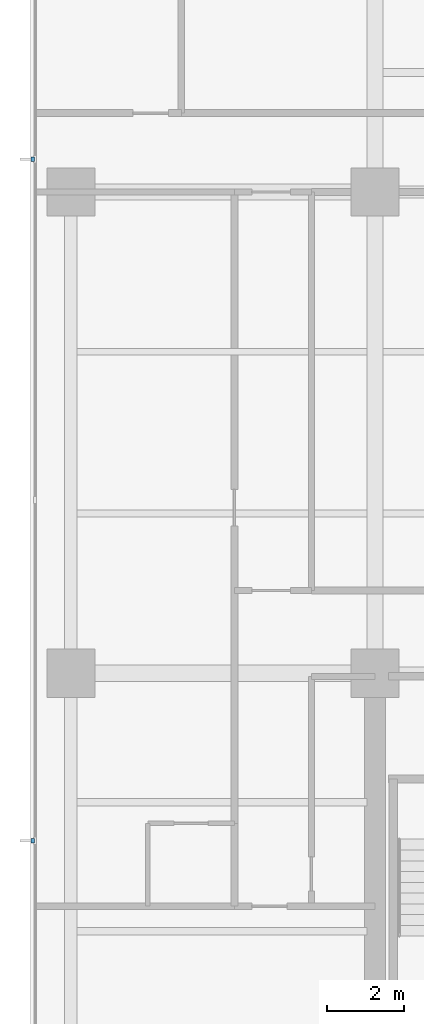
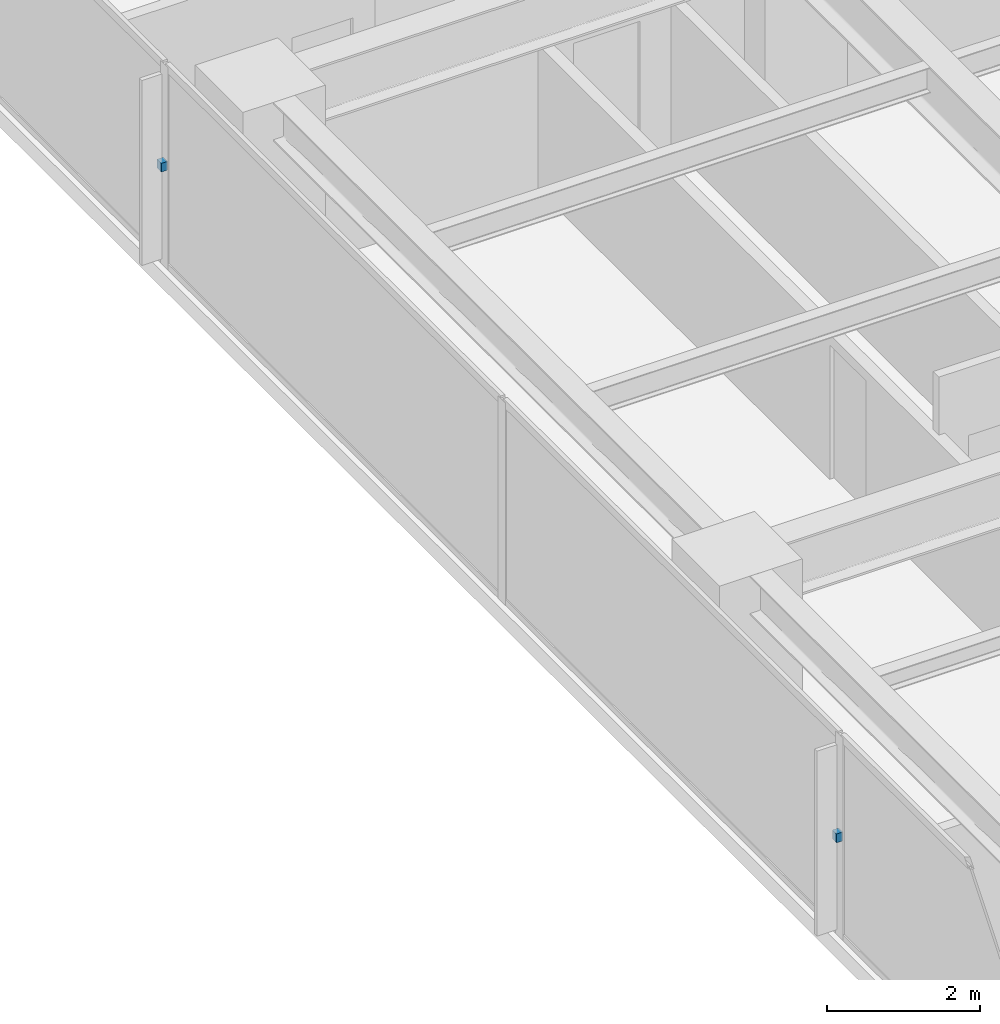
# One storey, part 12 of 16: 2 discrete accessories.
"""IFC4 building model written with IfcOpenShell, lengths in metres."""

from ifc_helpers import new_model, si_unit, direction, frame, origin, place, context, subcontext, project, spatial, polyline, outline, extrude, material, type_object, element, save


model = new_model("IFC4")

# Units and contexts
model_context = context("Model", 3, precision=1e-05, world=origin(), true_north=direction((0.0, 1.0)))
body_context = subcontext(model_context, "Body", "Model", "MODEL_VIEW")
ifc_project = project(units=[si_unit("LENGTHUNIT", "METRE"), si_unit("AREAUNIT", "SQUARE_METRE"), si_unit("VOLUMEUNIT", "CUBIC_METRE"), si_unit("PLANEANGLEUNIT", "RADIAN"), si_unit("MASSUNIT", "GRAM", prefix="KILO")], contexts=[model_context])

# Site, building, storey
site_placement = place(None, origin())
site = spatial("IfcSite", under=ifc_project, at=site_placement, CompositionType="ELEMENT")
building_placement = place(site_placement, origin())
building = spatial("IfcBuilding", under=site, at=building_placement, Name="Qalmaran Belvedere Hotel", CompositionType="ELEMENT")
storey_placement = place(building_placement, frame((0.0, 0.0, 123.199951171875)))
storey = spatial("IfcBuildingStorey", under=building, at=storey_placement, Name="L31", CompositionType="ELEMENT", Elevation=123.199951171875)

# Discrete accessories
ifc_material = material(Name="Stainless Steel 1.4401", Category="steel")
discrete_accessory_type = type_object("IfcDiscreteAccessoryType", Name="BRK-FIN-SS316", PredefinedType="BRACKET", material=ifc_material)
discrete_accessory_1_placement = place(storey_placement, frame((0.0, 0.0, 1.570068359375)))
element("IfcDiscreteAccessory", 1, at=discrete_accessory_1_placement, inside=storey, type_object=discrete_accessory_type, Name="L31 Fin Bracket 1", PredefinedType="BRACKET", context=body_context, shape_type="SweptSolid", body=[
    extrude(outline(polyline([(11.455078125, 33.905029296875), (11.360107421875, 33.905029296875), (11.360107421875, 33.794921875), (11.455078125, 33.794921875), (11.455078125, 33.905029296875)])), origin(), (0.0, 0.0, 1.0), 0.139892578125),
])
discrete_accessory_2_placement = place(storey_placement, frame((0.0, 0.0, 1.570068359375)))
element("IfcDiscreteAccessory", 2, at=discrete_accessory_2_placement, inside=storey, type_object=discrete_accessory_type, Name="L31 Fin Bracket 3", PredefinedType="BRACKET", context=body_context, shape_type="SweptSolid", body=[
    extrude(outline(polyline([(11.455078125, 16.205078125), (11.360107421875, 16.205078125), (11.360107421875, 16.094970703125), (11.455078125, 16.094970703125), (11.455078125, 16.205078125)])), origin(), (0.0, 0.0, 1.0), 0.139892578125),
])

save(model, "model.ifc")
